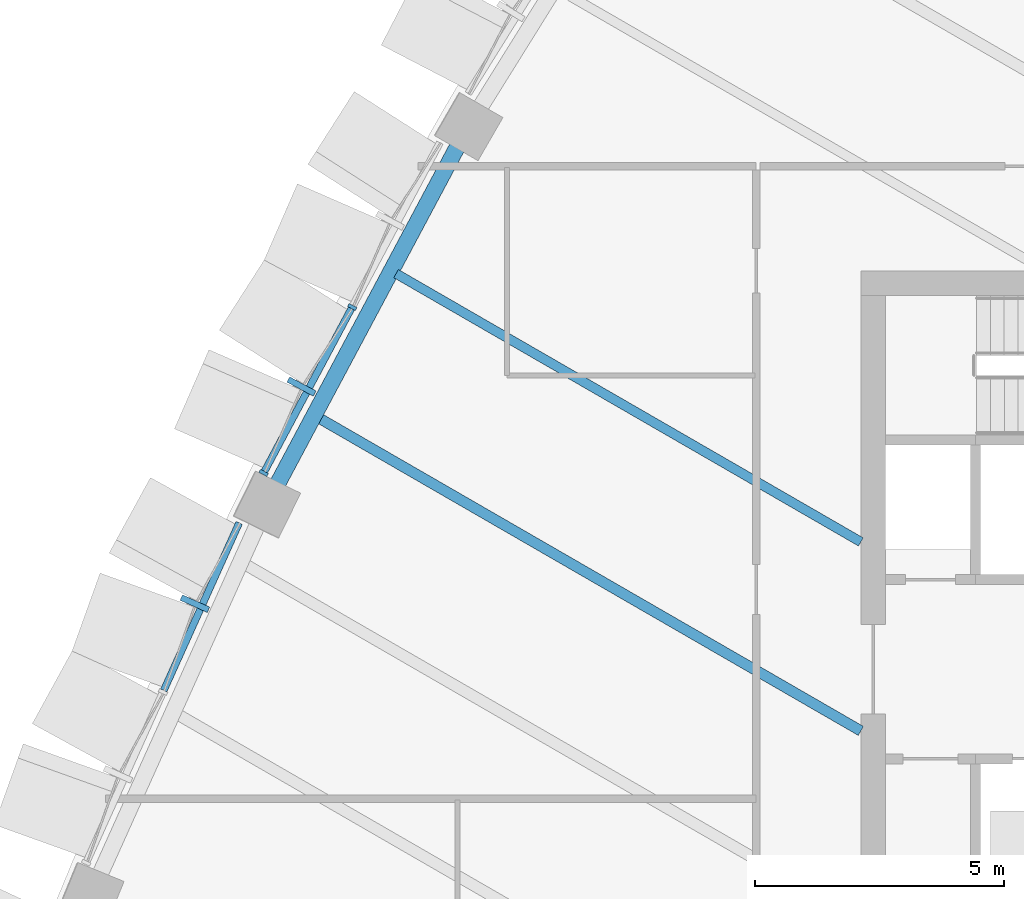
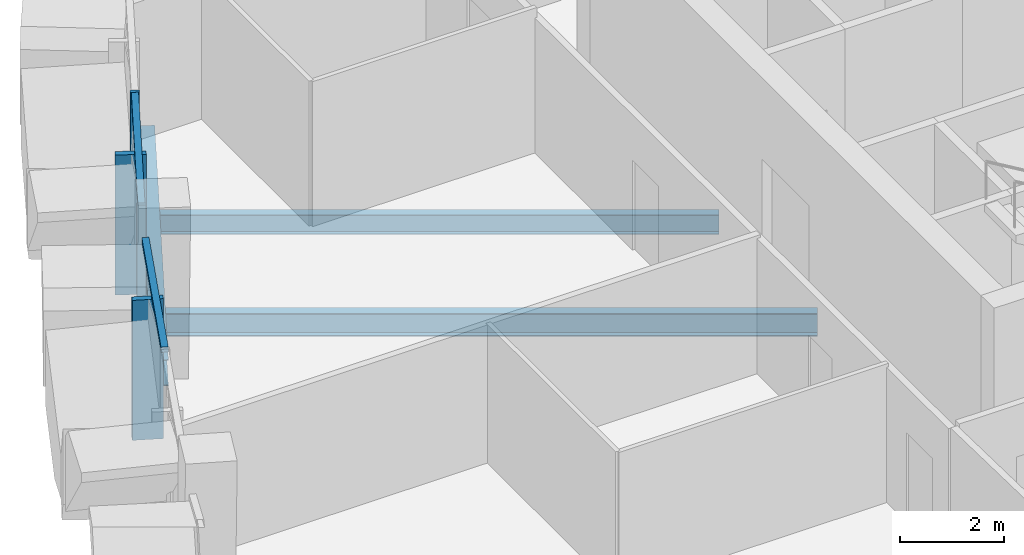
# One storey, part 3 of 22: 6 members, 3 beams, 2 elements without a shape of their own.
"""IFC4 building model written with IfcOpenShell, lengths in metres."""

import ifcopenshell
import ifcopenshell.guid

model = None  # the IFC model being written
_history = None  # IfcOwnerHistory: only IFC2X3 demands one
_inside = {}  # id of a spatial element -> (the spatial element, [elements in it])
_under = {}  # id of a project, library or spatial element -> (it, [spatial elements below it])
_declared = {}  # id of a project -> (the project, [libraries it declares])
_typed = {}  # id of a type object -> (the type object, [elements of that type])
_made_of = {}  # id of a material, layer set ... -> (it, [elements and type objects made of it])


def new_model(schema):
    """Start an empty IFC model of exactly this schema.

    Asked for "IFC4X3", IfcOpenShell would pick the latest addendum, in which some entities
    have other attributes; the version numbers below select the first issue.
    IFC2X3 requires an IfcOwnerHistory on every rooted entity: one is made here for all.
    """
    global model, _history
    if schema == "IFC4X3":
        model = ifcopenshell.file(schema_version=(4, 3, 0, 0))
    else:
        model = ifcopenshell.file(schema=schema)
    _inside.clear()
    _under.clear()
    _declared.clear()
    _typed.clear()
    _made_of.clear()
    _history = None
    if model.schema == "IFC2X3":
        org = make("IfcOrganization", Name="unknown")
        user = make(
            "IfcPersonAndOrganization",
            ThePerson=make("IfcPerson", FamilyName="unknown"),
            TheOrganization=org,
        )
        app = make(
            "IfcApplication",
            ApplicationDeveloper=org,
            Version="unknown",
            ApplicationFullName="unknown",
            ApplicationIdentifier="unknown",
        )
        _history = make(
            "IfcOwnerHistory",
            OwningUser=user,
            OwningApplication=app,
            ChangeAction="ADDED",
            CreationDate=0,
        )
    return model


def make(cls, **values):
    """One entity of the class cls with the attributes given. An attribute that is None is left unset."""
    return model.create_entity(
        cls, **{name: value for name, value in values.items() if value is not None}
    )


def rooted(cls, **values):
    """An entity with a GlobalId (a new one), such as an element, a storey or a relation."""
    return make(cls, GlobalId=ifcopenshell.guid.new(), OwnerHistory=_history, **values)


def si_unit(unit_type, name, prefix=None):
    """IfcSIUnit, for example si_unit("LENGTHUNIT", "METRE", prefix="MILLI")."""
    return make("IfcSIUnit", UnitType=unit_type, Prefix=prefix, Name=name)


def assignment(units):
    """IfcUnitAssignment: the units of a project."""
    return None if units is None else make("IfcUnitAssignment", Units=units)


def point(xyz):
    """IfcCartesianPoint."""
    return None if xyz is None else make("IfcCartesianPoint", Coordinates=xyz)


def direction(xyz):
    """IfcDirection."""
    return None if xyz is None else make("IfcDirection", DirectionRatios=xyz)


def frame(location, z_axis=None, x_axis=None):
    """IfcAxis2Placement3D, a coordinate frame: its origin and axes. An axis left out is left unset."""
    return make(
        "IfcAxis2Placement3D",
        Location=point(location),
        Axis=direction(z_axis),
        RefDirection=direction(x_axis),
    )


def frame_2d(location, x_axis=None):
    """IfcAxis2Placement2D, a coordinate frame in the plane: its origin and x axis."""
    return make(
        "IfcAxis2Placement2D", Location=point(location), RefDirection=direction(x_axis)
    )


def origin():
    """The frame at (0, 0, 0) with its axes left unset."""
    return frame((0.0, 0.0, 0.0))


def origin_2d():
    """The frame at (0, 0) in the plane with its x axis left unset."""
    return frame_2d((0.0, 0.0))


def place(relative_to, where):
    """IfcLocalPlacement: puts the frame where relative to a parent placement (None: the world)."""
    return make(
        "IfcLocalPlacement", PlacementRelTo=relative_to, RelativePlacement=where
    )


def context(
    kind, dimensions, precision=None, world=None, true_north=None, identifier=None
):
    """IfcGeometricRepresentationContext, for example the 3D "Model" context."""
    return make(
        "IfcGeometricRepresentationContext",
        ContextIdentifier=identifier,
        ContextType=kind,
        CoordinateSpaceDimension=dimensions,
        Precision=precision,
        WorldCoordinateSystem=world,
        TrueNorth=true_north,
    )


def subcontext(parent, identifier, kind, view, scale=None):
    """IfcGeometricRepresentationSubContext, for example "Body" below "Model"."""
    return make(
        "IfcGeometricRepresentationSubContext",
        ContextIdentifier=identifier,
        ContextType=kind,
        ParentContext=parent,
        TargetScale=scale,
        TargetView=view,
    )


def project(units=None, contexts=None):
    """IfcProject with its units and contexts."""
    return rooted(
        "IfcProject",
        Name="project",
        RepresentationContexts=contexts,
        UnitsInContext=assignment(units),
    )


def spatial(cls, under=None, at=None, **own):
    """A site, building, storey or space (cls), placed at a placement, below another one or the project."""
    s = rooted(cls, ObjectPlacement=at, **own)
    if under is not None:
        _under.setdefault(under.id(), (under, []))[1].append(s)
    return s


def profile(cls, at=None, kind="AREA", **sizes):
    """A parametric profile (cls). Its sizes go by their IFC names, for example OverallWidth=200.0."""
    return make(cls, ProfileType=kind, Position=at, **sizes)


def rectangle(**sizes):
    """IfcRectangleProfileDef."""
    return profile("IfcRectangleProfileDef", **sizes)


def i_section(**sizes):
    """IfcIShapeProfileDef."""
    return profile("IfcIShapeProfileDef", **sizes)


def extrude(swept, where, along, depth):
    """IfcExtrudedAreaSolid: the profile swept, set in the frame where, extruded along a direction by depth."""
    return make(
        "IfcExtrudedAreaSolid",
        SweptArea=swept,
        Position=where,
        ExtrudedDirection=direction(along),
        Depth=depth,
    )


def shape(context_of_items, identifier, shape_type, items):
    """IfcShapeRepresentation: the items that make up one representation, for example the "Body"."""
    return make(
        "IfcShapeRepresentation",
        ContextOfItems=context_of_items,
        RepresentationIdentifier=identifier,
        RepresentationType=shape_type,
        Items=items,
    )


def material(Name=None, Category=None):
    """IfcMaterial."""
    return make("IfcMaterial", Name=Name, Category=Category)


def layer(
    of_material, thickness, ventilated=None, Name=None, Category=None, Priority=None
):
    """IfcMaterialLayer: one layer of a wall or slab, of a material (None: an air gap)."""
    return make(
        "IfcMaterialLayer",
        Material=of_material,
        LayerThickness=thickness,
        IsVentilated=ventilated,
        Name=Name,
        Category=Category,
        Priority=Priority,
    )


def layer_set(layers, Name=None):
    """IfcMaterialLayerSet."""
    return make("IfcMaterialLayerSet", MaterialLayers=layers, LayerSetName=Name)


def material_profile(
    of_material, cross_section, Name=None, Category=None, Priority=None
):
    """IfcMaterialProfile: a cross section and its material."""
    return make(
        "IfcMaterialProfile",
        Name=Name,
        Material=of_material,
        Profile=cross_section,
        Priority=Priority,
        Category=Category,
    )


def profile_set(profiles, Name=None, composite=None):
    """IfcMaterialProfileSet."""
    return make(
        "IfcMaterialProfileSet",
        Name=Name,
        MaterialProfiles=profiles,
        CompositeProfile=composite,
    )


def made_of(thing, what):
    """Note that an element or type object is made of a material, layer set ...; save() writes the relation."""
    if what is not None:
        _made_of.setdefault(what.id(), (what, []))[1].append(thing)
    return thing


def type_object(cls, material=None, **own):
    """A type object (cls), such as IfcWallType, which elements share."""
    return made_of(rooted(cls, **own), material)


def element(
    cls,
    number,
    at=None,
    inside=None,
    cuts=None,
    type_object=None,
    material=None,
    context=None,
    identifier="Body",
    shape_type=None,
    held_by="IfcProductDefinitionShape",
    body=None,
    shapes=None,
    **own,
):
    """One element of the class cls, such as IfcWall. Its Tag is "e" and its number.

    at: its placement. inside: the storey or other place that contains it. cuts: it is an
    opening in that element (IfcRelVoidsElement). A single representation is given by context,
    identifier, shape_type and body (its items); several are given by shapes. held_by: the class
    of the entity that holds the representations. save() writes the other relations.
    """
    e = rooted(cls, Tag="e%d" % number, ObjectPlacement=at, **own)
    if body is not None:
        shapes = [shape(context, identifier, shape_type, body)]
    if shapes is not None:
        e.Representation = make(held_by, Representations=shapes)
    if inside is not None:
        _inside.setdefault(inside.id(), (inside, []))[1].append(e)
    if cuts is not None:
        rooted(
            "IfcRelVoidsElement", RelatingBuildingElement=cuts, RelatedOpeningElement=e
        )
    if type_object is not None:
        _typed.setdefault(type_object.id(), (type_object, []))[1].append(e)
    return made_of(e, material)


def aggregate(whole, parts):
    """IfcRelAggregates: a whole, such as a stair, and the parts it consists of."""
    return rooted("IfcRelAggregates", RelatingObject=whole, RelatedObjects=parts)


def save(model, path):
    """Write the relations noted so far, then the file.

    IfcRelAggregates (storeys below a building ...), IfcRelContainedInSpatialStructure (elements
    in a storey), IfcRelDefinesByType, IfcRelAssociatesMaterial and IfcRelDeclares: one each for
    every whole, place, type object, material and project.
    """
    for whole, parts in _under.values():
        aggregate(whole, parts)
    for where, things in _inside.values():
        rooted(
            "IfcRelContainedInSpatialStructure",
            RelatedElements=things,
            RelatingStructure=where,
        )
    for kind, things in _typed.values():
        rooted("IfcRelDefinesByType", RelatedObjects=things, RelatingType=kind)
    for what, things in _made_of.values():
        rooted("IfcRelAssociatesMaterial", RelatedObjects=things, RelatingMaterial=what)
    for by, libraries in _declared.values():
        rooted("IfcRelDeclares", RelatingContext=by, RelatedDefinitions=libraries)
    model.write(path)


model = new_model("IFC4")

# Units and contexts
model_context = context("Model", 3, precision=1e-05, world=origin(), true_north=direction((0.0, 1.0)))
body_context = subcontext(model_context, "Body", "Model", "MODEL_VIEW")
ifc_project = project(units=[si_unit("LENGTHUNIT", "METRE"), si_unit("AREAUNIT", "SQUARE_METRE"), si_unit("VOLUMEUNIT", "CUBIC_METRE"), si_unit("PLANEANGLEUNIT", "RADIAN"), si_unit("MASSUNIT", "GRAM", prefix="KILO")], contexts=[model_context])

# Site, building, storey
site_placement = place(None, origin())
site = spatial("IfcSite", under=ifc_project, at=site_placement, CompositionType="ELEMENT")
building_placement = place(site_placement, origin())
building = spatial("IfcBuilding", under=site, at=building_placement, Name="Sierra Prisma Convention Tower", CompositionType="ELEMENT")
storey_placement = place(building_placement, frame((0.0, 0.0, 141.800048828125)))
storey = spatial("IfcBuildingStorey", under=building, at=storey_placement, Name="L30", CompositionType="ELEMENT", Elevation=141.800048828125)

# Curtain wall, member
ifc_material_1 = material(Name="Aluminium and glass curtain wall", Category="aluminium")
ifc_layer = layer(ifc_material_1, 0.179931640625)
ifc_layer_set = layer_set([ifc_layer], Name="CW-2 Faceted crystal curtain wall")
curtain_wall_type = type_object("IfcCurtainWallType", Name="CW-2 Faceted crystal curtain wall", PredefinedType="NOTDEFINED", material=ifc_layer_set)
curtain_wall_1_placement = place(storey_placement, origin())
curtain_wall_1 = element("IfcCurtainWall", 1, at=curtain_wall_1_placement, inside=storey, type_object=curtain_wall_type, Name="CW-2 NW4 L30", PredefinedType="NOTDEFINED")
ifc_material_2 = material(Name="Aluminium 6063-T6 bronze anodised", Category="aluminium")
ifc_material_profile_1 = material_profile(ifc_material_2, rectangle(XDim=0.1201171875, YDim=0.60009765625, at=origin_2d()), Name="ALU RIDGE BLADE 120x600")
ifc_profile_set_1 = profile_set([ifc_material_profile_1], Name="Aluminium 6063-T6 bronze anodised")
member_type_1 = type_object("IfcMemberType", Name="CW hip bronze", PredefinedType="MULLION", material=ifc_profile_set_1)
member_1_placement = place(storey_placement, frame((-22.231201171875, 5.676025390625, 0.0), z_axis=(0.0, 0.0, 1.0), x_axis=(-0.470681187021, -0.882303360633, 0.0)))
member_1 = element("IfcMember", 2, at=member_1_placement, type_object=member_type_1, Name="CW-2 ridge NW4.2", PredefinedType="MULLION", context=body_context, shape_type="SweptSolid", body=[
    extrude(rectangle(XDim=0.1201171875, YDim=0.60009765625, at=origin_2d()), origin(), (0.0, 0.0, 1.0), 3.280029296875),
])

curtain_wall_2_placement = place(storey_placement, origin())
curtain_wall_2 = element("IfcCurtainWall", 3, at=curtain_wall_2_placement, inside=storey, type_object=curtain_wall_type, Name="CW-2 NW5 L30", PredefinedType="NOTDEFINED")
member_2_placement = place(storey_placement, frame((-24.372314453125, 1.31640625, 0.0), z_axis=(0.0, 0.0, 1.0), x_axis=(-0.410489192904, -0.911865462943, 0.0)))
member_2 = element("IfcMember", 4, at=member_2_placement, type_object=member_type_1, Name="CW-2 ridge NW5.1", PredefinedType="MULLION", context=body_context, shape_type="SweptSolid", body=[
    extrude(rectangle(XDim=0.1201171875, YDim=0.60009765625, at=origin_2d()), origin(), (0.0, 0.0, 1.0), 3.280029296875),
])

# Member
ifc_material_3 = material(Name="Aluminium 6063-T6 bronze anodised", Category="aluminium")
ifc_material_profile_2 = material_profile(ifc_material_3, rectangle(XDim=0.179931640625, YDim=0.070068359375, at=origin_2d()), Name="ALU MULLION 70x180")
ifc_profile_set_2 = profile_set([ifc_material_profile_2], Name="Aluminium 6063-T6 bronze anodised")
member_type_2 = type_object("IfcMemberType", Name="CW mullion bronze", PredefinedType="MULLION", material=ifc_profile_set_2)
member_3_placement = place(storey_placement, frame((-21.2138671875, 7.273193359375, 0.0), z_axis=(0.0, 0.0, 1.0), x_axis=(0.882303360633, -0.470681187021, 0.0)))
member_3 = element("IfcMember", 5, at=member_3_placement, type_object=member_type_2, Name="CW-1 mullion NW4.2", PredefinedType="MULLION", context=body_context, shape_type="SweptSolid", body=[
    extrude(rectangle(XDim=0.179931640625, YDim=0.070068359375, at=origin_2d()), origin(), (0.0, 0.0, 1.0), 3.39990234375),
])

member_4_placement = place(storey_placement, frame((-22.990966796875, 3.94189453125, 0.0), z_axis=(0.0, 0.0, 1.0), x_axis=(0.882303360633, -0.470681187021, 0.0)))
member_4 = element("IfcMember", 6, at=member_4_placement, type_object=member_type_2, Name="CW-1 mullion NW4.3", PredefinedType="MULLION", context=body_context, shape_type="SweptSolid", body=[
    extrude(rectangle(XDim=0.179931640625, YDim=0.070068359375, at=origin_2d()), origin(), (0.0, 0.0, 1.0), 3.39990234375),
])

ifc_material_4 = material(Name="Aluminium 6063-T6 bronze anodised", Category="aluminium")
ifc_material_profile_3 = material_profile(ifc_material_4, rectangle(XDim=0.139892578125, YDim=0.1201171875, at=origin_2d()), Name="ALU TRANSOM 120x140")
ifc_profile_set_3 = profile_set([ifc_material_profile_3], Name="Aluminium 6063-T6 bronze anodised")
member_type_3 = type_object("IfcMemberType", Name="CW transom bronze", PredefinedType="USERDEFINED", material=ifc_profile_set_3)
member_5_placement = place(storey_placement, frame((-21.230224609375, 7.2421875, 3.33984375), z_axis=(-0.470721588175, -0.882281806696, 0.0), x_axis=(0.882281806696, -0.470721588175, 0.0)))
member_5 = element("IfcMember", 7, at=member_5_placement, type_object=member_type_3, Name="CW-1 transom NW4.2", ObjectType="TRANSOM", PredefinedType="USERDEFINED", context=body_context, shape_type="SweptSolid", body=[
    extrude(rectangle(XDim=0.139892578125, YDim=0.1201171875, at=origin_2d()), origin(), (0.0, 0.0, 1.0), 3.705810546875),
])

aggregate(curtain_wall_1, [member_3, member_4, member_5, member_1])

member_6_placement = place(storey_placement, frame((-23.482666015625, 2.93896484375, 3.33984375), z_axis=(-0.41052975614, -0.911847201742, 0.0), x_axis=(0.911847201742, -0.41052975614, 0.0)))
member_6 = element("IfcMember", 8, at=member_6_placement, type_object=member_type_3, Name="CW-1 transom NW5.1", ObjectType="TRANSOM", PredefinedType="USERDEFINED", context=body_context, shape_type="SweptSolid", body=[
    extrude(rectangle(XDim=0.139892578125, YDim=0.1201171875, at=origin_2d()), origin(), (0.0, 0.0, 1.0), 3.689453125),
])

aggregate(curtain_wall_2, [member_6, member_2])

# Beams
ifc_material_5 = material(Name="Steel ASTM A992 Gr 50", Category="steel")
ifc_material_profile_4 = material_profile(ifc_material_5, i_section(OverallWidth=0.18994140625, OverallDepth=0.45703125, WebThickness=0.009033203125, FlangeThickness=0.014404296875, at=origin_2d()), Name="W460x74")
ifc_profile_set_4 = profile_set([ifc_material_profile_4], Name="Steel ASTM A992 Gr 50")
beam_type_1 = type_object("IfcBeamType", Name="Floor joist W460x74", PredefinedType="JOIST", material=ifc_profile_set_4)
beam_1_placement = place(storey_placement, frame((-20.331787109375, 7.944091796875, -0.378662109375), z_axis=(0.866025985952, -0.499998991654, 0.0), x_axis=(0.499998991654, 0.866025985952, 0.0)))
element("IfcBeam", 9, at=beam_1_placement, inside=storey, type_object=beam_type_1, Name="Floor joist L30 NW09", PredefinedType="JOIST", context=body_context, shape_type="SweptSolid", body=[
    extrude(i_section(OverallWidth=0.18994140625, OverallDepth=0.45703125, WebThickness=0.009033203125, FlangeThickness=0.014404296875, at=origin_2d()), origin(), (0.0, 0.0, 1.0), 10.775390625),
])
ifc_material_6 = material(Name="Steel ASTM A992 Gr 50", Category="steel")
ifc_material_profile_5 = material_profile(ifc_material_6, i_section(OverallWidth=0.208984375, OverallDepth=0.532958984375, WebThickness=0.01025390625, FlangeThickness=0.015625, at=origin_2d()), Name="W530x92")
ifc_profile_set_5 = profile_set([ifc_material_profile_5], Name="Steel ASTM A992 Gr 50")
beam_type_2 = type_object("IfcBeamType", Name="Floor joist W530x92", PredefinedType="JOIST", material=ifc_profile_set_5)
beam_2_placement = place(storey_placement, frame((-21.87939453125, 5.043212890625, -0.41650390625), z_axis=(0.866024416639, -0.500001709782, 0.0), x_axis=(0.500001709782, 0.866024416639, 0.0)))
element("IfcBeam", 10, at=beam_2_placement, inside=storey, type_object=beam_type_2, Name="Floor joist L30 NW10", PredefinedType="JOIST", context=body_context, shape_type="SweptSolid", body=[
    extrude(i_section(OverallWidth=0.208984375, OverallDepth=0.532958984375, WebThickness=0.01025390625, FlangeThickness=0.015625, at=origin_2d()), origin(), (0.0, 0.0, 1.0), 12.5625),
])
ifc_material_7 = material(Name="Steel ASTM A992 Gr 50", Category="steel")
ifc_material_profile_6 = material_profile(ifc_material_7, i_section(OverallWidth=0.324951171875, OverallDepth=0.615966796875, WebThickness=0.013916015625, FlangeThickness=0.021484375, at=origin_2d()), Name="W610x174")
ifc_profile_set_6 = profile_set([ifc_material_profile_6], Name="Steel ASTM A992 Gr 50")
beam_type_3 = type_object("IfcBeamType", Name="Spandrel beam W610x174", PredefinedType="BEAM", material=ifc_profile_set_6)
beam_3_placement = place(storey_placement, frame((-19.060791015625, 10.56591796875, -0.4580078125), z_axis=(-0.470681858358, -0.882303002495, 0.0), x_axis=(0.882303002495, -0.470681858358, 0.0)))
element("IfcBeam", 11, at=beam_3_placement, inside=storey, type_object=beam_type_3, Name="Spandrel L30-16", PredefinedType="BEAM", context=body_context, shape_type="SweptSolid", body=[
    extrude(i_section(OverallWidth=0.324951171875, OverallDepth=0.615966796875, WebThickness=0.013916015625, FlangeThickness=0.021484375, at=origin_2d()), origin(), (0.0, 0.0, 1.0), 7.849853515625),
])

save(model, "model.ifc")
